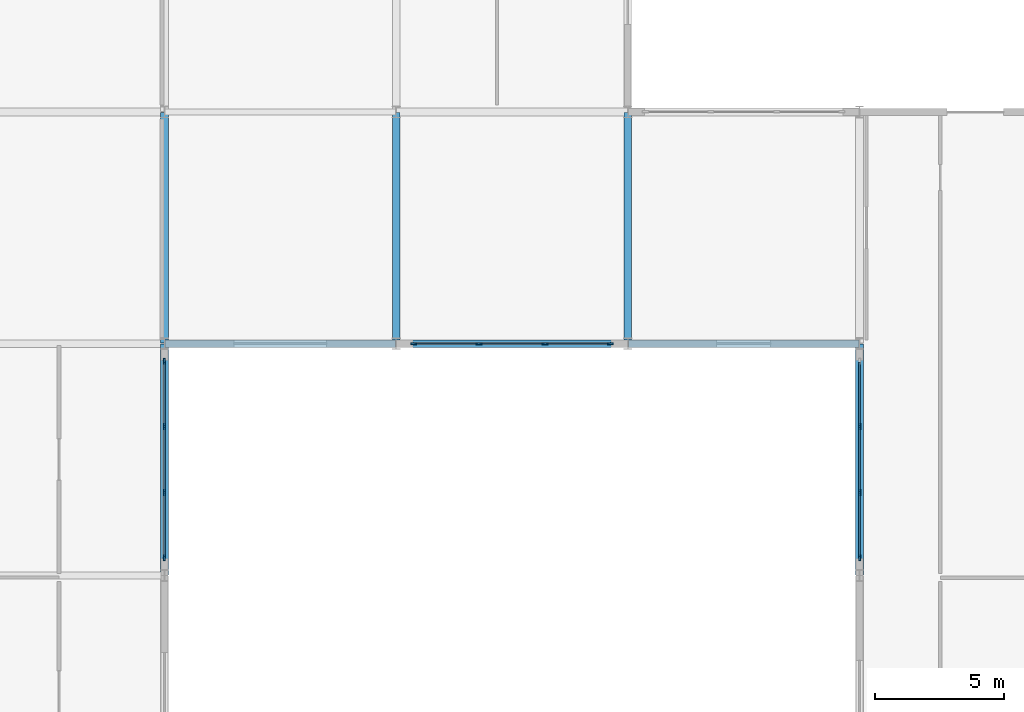
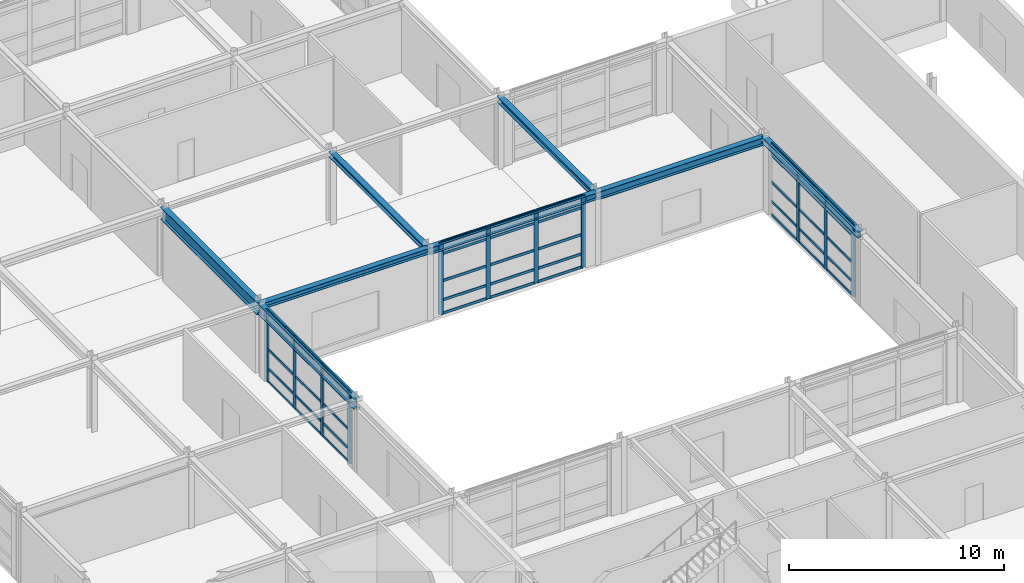
# One storey, part 40 of 72: 56 members, 8 beams, 3 elements without a shape of their own.
"""IFC4 building model written with IfcOpenShell, lengths in metres."""

from ifc_helpers import new_model, si_unit, direction, frame, origin, origin_2d, place, context, subcontext, project, spatial, rectangle, i_section, extrude, material, material_profile, profile_set, type_object, element, aggregate, save


model = new_model("IFC4")

# Units and contexts
model_context = context("Model", 3, precision=1e-05, world=origin(), true_north=direction((0.0, 1.0)))
body_context = subcontext(model_context, "Body", "Model", "MODEL_VIEW")
ifc_project = project(units=[si_unit("LENGTHUNIT", "METRE"), si_unit("AREAUNIT", "SQUARE_METRE"), si_unit("VOLUMEUNIT", "CUBIC_METRE"), si_unit("PLANEANGLEUNIT", "RADIAN"), si_unit("MASSUNIT", "GRAM", prefix="KILO")], contexts=[model_context])

# Site, building, storey
site_placement = place(None, origin())
site = spatial("IfcSite", under=ifc_project, at=site_placement, CompositionType="ELEMENT")
building_placement = place(site_placement, origin())
building = spatial("IfcBuilding", under=site, at=building_placement, Name="Palais des Congres Ocreval", CompositionType="ELEMENT")
storey_placement = place(building_placement, origin())
storey = spatial("IfcBuildingStorey", under=building, at=storey_placement, Name="L00", CompositionType="ELEMENT", Elevation=0.0)

# Curtain wall, members
ifc_material_1 = material(Name="Anodized bronze aluminium and low-E glass", Category="glass")
curtain_wall_type = type_object("IfcCurtainWallType", Name="Unitised Curtain Wall 7900x4060", PredefinedType="USERDEFINED", material=ifc_material_1)
curtain_wall_1_placement = place(storey_placement, origin())
curtain_wall_1 = element("IfcCurtainWall", 1, at=curtain_wall_1_placement, inside=storey, type_object=curtain_wall_type, Name="Unitised Curtain Wall CW01 L00", ObjectType="UNITISED CURTAIN WALL", PredefinedType="USERDEFINED")
ifc_material_2 = material(Name="Anodized bronze aluminium", Category="aluminium")
ifc_material_profile_1 = material_profile(ifc_material_2, rectangle(XDim=0.074951171875, YDim=0.239990234375, at=origin_2d()), Name="ALU 75x240")
ifc_profile_set_1 = profile_set([ifc_material_profile_1], Name="Anodized bronze aluminium")
member_type_1 = type_object("IfcMemberType", Name="Curtain Wall Mullion ALU 75x240", PredefinedType="MULLION", material=ifc_profile_set_1)
member_1_placement = place(storey_placement, frame((153.0, 27.6875, 0.0), z_axis=(0.0, 0.0, 1.0), x_axis=(-1.0, 0.0, 0.0)))
member_1 = element("IfcMember", 2, at=member_1_placement, type_object=member_type_1, Name="Curtain Wall Mullion ML01", PredefinedType="MULLION", context=body_context, shape_type="SweptSolid", body=[
    extrude(rectangle(XDim=0.074951171875, YDim=0.239990234375, at=origin_2d()), origin(), (0.0, 0.0, 1.0), 4.054931640625),
])
member_2_placement = place(storey_placement, frame((153.0, 30.216796875, 0.0), z_axis=(0.0, 0.0, 1.0), x_axis=(-1.0, 0.0, 0.0)))
member_2 = element("IfcMember", 3, at=member_2_placement, type_object=member_type_1, Name="Curtain Wall Mullion ML01", PredefinedType="MULLION", context=body_context, shape_type="SweptSolid", body=[
    extrude(rectangle(XDim=0.074951171875, YDim=0.239990234375, at=origin_2d()), origin(), (0.0, 0.0, 1.0), 4.054931640625),
])
member_3_placement = place(storey_placement, frame((153.0, 32.783203125, 0.0), z_axis=(0.0, 0.0, 1.0), x_axis=(-1.0, 0.0, 0.0)))
member_3 = element("IfcMember", 4, at=member_3_placement, type_object=member_type_1, Name="Curtain Wall Mullion ML01", PredefinedType="MULLION", context=body_context, shape_type="SweptSolid", body=[
    extrude(rectangle(XDim=0.074951171875, YDim=0.239990234375, at=origin_2d()), origin(), (0.0, 0.0, 1.0), 4.054931640625),
])

curtain_wall_2_placement = place(storey_placement, origin())
curtain_wall_2 = element("IfcCurtainWall", 5, at=curtain_wall_2_placement, inside=storey, type_object=curtain_wall_type, Name="Unitised Curtain Wall CW01 L00", ObjectType="UNITISED CURTAIN WALL", PredefinedType="USERDEFINED")
member_4_placement = place(storey_placement, frame((143.3125, 36.0, 0.0), z_axis=(0.0, 0.0, 1.0), x_axis=(0.0, -1.0, 0.0)))
member_4 = element("IfcMember", 6, at=member_4_placement, type_object=member_type_1, Name="Curtain Wall Mullion ML01", PredefinedType="MULLION", context=body_context, shape_type="SweptSolid", body=[
    extrude(rectangle(XDim=0.074951171875, YDim=0.239990234375, at=origin_2d()), origin(), (0.0, 0.0, 1.0), 4.054931640625),
])
member_5_placement = place(storey_placement, frame((140.783203125, 36.0, 0.0), z_axis=(0.0, 0.0, 1.0), x_axis=(0.0, -1.0, 0.0)))
member_5 = element("IfcMember", 7, at=member_5_placement, type_object=member_type_1, Name="Curtain Wall Mullion ML01", PredefinedType="MULLION", context=body_context, shape_type="SweptSolid", body=[
    extrude(rectangle(XDim=0.074951171875, YDim=0.239990234375, at=origin_2d()), origin(), (0.0, 0.0, 1.0), 4.054931640625),
])
member_6_placement = place(storey_placement, frame((138.216796875, 36.0, 0.0), z_axis=(0.0, 0.0, 1.0), x_axis=(0.0, -1.0, 0.0)))
member_6 = element("IfcMember", 8, at=member_6_placement, type_object=member_type_1, Name="Curtain Wall Mullion ML01", PredefinedType="MULLION", context=body_context, shape_type="SweptSolid", body=[
    extrude(rectangle(XDim=0.074951171875, YDim=0.239990234375, at=origin_2d()), origin(), (0.0, 0.0, 1.0), 4.054931640625),
])
member_7_placement = place(storey_placement, frame((135.6875, 36.0, 0.0), z_axis=(0.0, 0.0, 1.0), x_axis=(0.0, -1.0, 0.0)))
member_7 = element("IfcMember", 9, at=member_7_placement, type_object=member_type_1, Name="Curtain Wall Mullion ML01", PredefinedType="MULLION", context=body_context, shape_type="SweptSolid", body=[
    extrude(rectangle(XDim=0.074951171875, YDim=0.239990234375, at=origin_2d()), origin(), (0.0, 0.0, 1.0), 4.054931640625),
])

curtain_wall_3_placement = place(storey_placement, origin())
curtain_wall_3 = element("IfcCurtainWall", 10, at=curtain_wall_3_placement, inside=storey, type_object=curtain_wall_type, Name="Unitised Curtain Wall CW01 L00", ObjectType="UNITISED CURTAIN WALL", PredefinedType="USERDEFINED")
member_8_placement = place(storey_placement, frame((126.0, 35.3125, 0.0), z_axis=(0.0, 0.0, 1.0), x_axis=(1.0, 0.0, 0.0)))
member_8 = element("IfcMember", 11, at=member_8_placement, type_object=member_type_1, Name="Curtain Wall Mullion ML01", PredefinedType="MULLION", context=body_context, shape_type="SweptSolid", body=[
    extrude(rectangle(XDim=0.074951171875, YDim=0.239990234375, at=origin_2d()), origin(), (0.0, 0.0, 1.0), 4.054931640625),
])
member_9_placement = place(storey_placement, frame((126.0, 32.783203125, 0.0), z_axis=(0.0, 0.0, 1.0), x_axis=(1.0, 0.0, 0.0)))
member_9 = element("IfcMember", 12, at=member_9_placement, type_object=member_type_1, Name="Curtain Wall Mullion ML01", PredefinedType="MULLION", context=body_context, shape_type="SweptSolid", body=[
    extrude(rectangle(XDim=0.074951171875, YDim=0.239990234375, at=origin_2d()), origin(), (0.0, 0.0, 1.0), 4.054931640625),
])
member_10_placement = place(storey_placement, frame((126.0, 30.216796875, 0.0), z_axis=(0.0, 0.0, 1.0), x_axis=(1.0, 0.0, 0.0)))
member_10 = element("IfcMember", 13, at=member_10_placement, type_object=member_type_1, Name="Curtain Wall Mullion ML01", PredefinedType="MULLION", context=body_context, shape_type="SweptSolid", body=[
    extrude(rectangle(XDim=0.074951171875, YDim=0.239990234375, at=origin_2d()), origin(), (0.0, 0.0, 1.0), 4.054931640625),
])
member_11_placement = place(storey_placement, frame((126.0, 27.6875, 0.0), z_axis=(0.0, 0.0, 1.0), x_axis=(1.0, 0.0, 0.0)))
member_11 = element("IfcMember", 14, at=member_11_placement, type_object=member_type_1, Name="Curtain Wall Mullion ML01", PredefinedType="MULLION", context=body_context, shape_type="SweptSolid", body=[
    extrude(rectangle(XDim=0.074951171875, YDim=0.239990234375, at=origin_2d()), origin(), (0.0, 0.0, 1.0), 4.054931640625),
])

# Member
ifc_material_profile_2 = material_profile(ifc_material_2, rectangle(XDim=0.06005859375, YDim=0.14990234375, at=origin_2d()), Name="ALU 60x150")
ifc_profile_set_2 = profile_set([ifc_material_profile_2], Name="Anodized bronze aluminium")
member_type_2 = type_object("IfcMemberType", Name="Curtain Wall Transom ALU 60x150", PredefinedType="USERDEFINED", material=ifc_profile_set_2)
member_12_placement = place(storey_placement, frame((153.0, 27.72509765625, 0.030029296875), z_axis=(0.0, 1.0, 0.0), x_axis=(-1.0, 0.0, 0.0)))
member_12 = element("IfcMember", 15, at=member_12_placement, type_object=member_type_2, Name="Curtain Wall Transom TR01", ObjectType="TRANSOM", PredefinedType="USERDEFINED", context=body_context, shape_type="SweptSolid", body=[
    extrude(rectangle(XDim=0.06005859375, YDim=0.14990234375, at=origin_2d()), origin(), (0.0, 0.0, 1.0), 2.4541015625),
])

member_13_placement = place(storey_placement, frame((153.0, 27.72509765625, 0.780029296875), z_axis=(0.0, 1.0, 0.0), x_axis=(-1.0, 0.0, 0.0)))
member_13 = element("IfcMember", 16, at=member_13_placement, type_object=member_type_2, Name="Curtain Wall Transom TR01", ObjectType="TRANSOM", PredefinedType="USERDEFINED", context=body_context, shape_type="SweptSolid", body=[
    extrude(rectangle(XDim=0.06005859375, YDim=0.14990234375, at=origin_2d()), origin(), (0.0, 0.0, 1.0), 2.4541015625),
])

member_14_placement = place(storey_placement, frame((153.0, 27.72509765625, 1.872802734375), z_axis=(0.0, 1.0, 0.0), x_axis=(-1.0, 0.0, 0.0)))
member_14 = element("IfcMember", 17, at=member_14_placement, type_object=member_type_2, Name="Curtain Wall Transom TR01", ObjectType="TRANSOM", PredefinedType="USERDEFINED", context=body_context, shape_type="SweptSolid", body=[
    extrude(rectangle(XDim=0.06005859375, YDim=0.14990234375, at=origin_2d()), origin(), (0.0, 0.0, 1.0), 2.4541015625),
])

member_15_placement = place(storey_placement, frame((153.0, 27.72509765625, 3.405029296875), z_axis=(0.0, 1.0, 0.0), x_axis=(-1.0, 0.0, 0.0)))
member_15 = element("IfcMember", 18, at=member_15_placement, type_object=member_type_2, Name="Curtain Wall Transom TR01", ObjectType="TRANSOM", PredefinedType="USERDEFINED", context=body_context, shape_type="SweptSolid", body=[
    extrude(rectangle(XDim=0.06005859375, YDim=0.14990234375, at=origin_2d()), origin(), (0.0, 0.0, 1.0), 2.4541015625),
])

member_16_placement = place(storey_placement, frame((153.0, 27.72509765625, 4.02490234375), z_axis=(0.0, 1.0, 0.0), x_axis=(-1.0, 0.0, 0.0)))
member_16 = element("IfcMember", 19, at=member_16_placement, type_object=member_type_2, Name="Curtain Wall Transom TR01", ObjectType="TRANSOM", PredefinedType="USERDEFINED", context=body_context, shape_type="SweptSolid", body=[
    extrude(rectangle(XDim=0.06005859375, YDim=0.14990234375, at=origin_2d()), origin(), (0.0, 0.0, 1.0), 2.4541015625),
])

member_17_placement = place(storey_placement, frame((153.0, 30.254150390625, 0.030029296875), z_axis=(0.0, 1.0, 0.0), x_axis=(-1.0, 0.0, 0.0)))
member_17 = element("IfcMember", 20, at=member_17_placement, type_object=member_type_2, Name="Curtain Wall Transom TR01", ObjectType="TRANSOM", PredefinedType="USERDEFINED", context=body_context, shape_type="SweptSolid", body=[
    extrude(rectangle(XDim=0.06005859375, YDim=0.14990234375, at=origin_2d()), origin(), (0.0, 0.0, 1.0), 2.49169921875),
])

member_18_placement = place(storey_placement, frame((153.0, 30.254150390625, 0.780029296875), z_axis=(0.0, 1.0, 0.0), x_axis=(-1.0, 0.0, 0.0)))
member_18 = element("IfcMember", 21, at=member_18_placement, type_object=member_type_2, Name="Curtain Wall Transom TR01", ObjectType="TRANSOM", PredefinedType="USERDEFINED", context=body_context, shape_type="SweptSolid", body=[
    extrude(rectangle(XDim=0.06005859375, YDim=0.14990234375, at=origin_2d()), origin(), (0.0, 0.0, 1.0), 2.49169921875),
])

member_19_placement = place(storey_placement, frame((153.0, 30.254150390625, 1.872802734375), z_axis=(0.0, 1.0, 0.0), x_axis=(-1.0, 0.0, 0.0)))
member_19 = element("IfcMember", 22, at=member_19_placement, type_object=member_type_2, Name="Curtain Wall Transom TR01", ObjectType="TRANSOM", PredefinedType="USERDEFINED", context=body_context, shape_type="SweptSolid", body=[
    extrude(rectangle(XDim=0.06005859375, YDim=0.14990234375, at=origin_2d()), origin(), (0.0, 0.0, 1.0), 2.49169921875),
])

member_20_placement = place(storey_placement, frame((153.0, 30.254150390625, 3.405029296875), z_axis=(0.0, 1.0, 0.0), x_axis=(-1.0, 0.0, 0.0)))
member_20 = element("IfcMember", 23, at=member_20_placement, type_object=member_type_2, Name="Curtain Wall Transom TR01", ObjectType="TRANSOM", PredefinedType="USERDEFINED", context=body_context, shape_type="SweptSolid", body=[
    extrude(rectangle(XDim=0.06005859375, YDim=0.14990234375, at=origin_2d()), origin(), (0.0, 0.0, 1.0), 2.49169921875),
])

member_21_placement = place(storey_placement, frame((153.0, 30.254150390625, 4.02490234375), z_axis=(0.0, 1.0, 0.0), x_axis=(-1.0, 0.0, 0.0)))
member_21 = element("IfcMember", 24, at=member_21_placement, type_object=member_type_2, Name="Curtain Wall Transom TR01", ObjectType="TRANSOM", PredefinedType="USERDEFINED", context=body_context, shape_type="SweptSolid", body=[
    extrude(rectangle(XDim=0.06005859375, YDim=0.14990234375, at=origin_2d()), origin(), (0.0, 0.0, 1.0), 2.49169921875),
])

member_22_placement = place(storey_placement, frame((153.0, 32.82080078125, 0.030029296875), z_axis=(0.0, 1.0, 0.0), x_axis=(-1.0, 0.0, 0.0)))
member_22 = element("IfcMember", 25, at=member_22_placement, type_object=member_type_2, Name="Curtain Wall Transom TR01", ObjectType="TRANSOM", PredefinedType="USERDEFINED", context=body_context, shape_type="SweptSolid", body=[
    extrude(rectangle(XDim=0.06005859375, YDim=0.14990234375, at=origin_2d()), origin(), (0.0, 0.0, 1.0), 2.4541015625),
])

member_23_placement = place(storey_placement, frame((153.0, 32.82080078125, 0.780029296875), z_axis=(0.0, 1.0, 0.0), x_axis=(-1.0, 0.0, 0.0)))
member_23 = element("IfcMember", 26, at=member_23_placement, type_object=member_type_2, Name="Curtain Wall Transom TR01", ObjectType="TRANSOM", PredefinedType="USERDEFINED", context=body_context, shape_type="SweptSolid", body=[
    extrude(rectangle(XDim=0.06005859375, YDim=0.14990234375, at=origin_2d()), origin(), (0.0, 0.0, 1.0), 2.4541015625),
])

member_24_placement = place(storey_placement, frame((153.0, 32.82080078125, 1.872802734375), z_axis=(0.0, 1.0, 0.0), x_axis=(-1.0, 0.0, 0.0)))
member_24 = element("IfcMember", 27, at=member_24_placement, type_object=member_type_2, Name="Curtain Wall Transom TR01", ObjectType="TRANSOM", PredefinedType="USERDEFINED", context=body_context, shape_type="SweptSolid", body=[
    extrude(rectangle(XDim=0.06005859375, YDim=0.14990234375, at=origin_2d()), origin(), (0.0, 0.0, 1.0), 2.4541015625),
])

member_25_placement = place(storey_placement, frame((153.0, 32.82080078125, 3.405029296875), z_axis=(0.0, 1.0, 0.0), x_axis=(-1.0, 0.0, 0.0)))
member_25 = element("IfcMember", 28, at=member_25_placement, type_object=member_type_2, Name="Curtain Wall Transom TR01", ObjectType="TRANSOM", PredefinedType="USERDEFINED", context=body_context, shape_type="SweptSolid", body=[
    extrude(rectangle(XDim=0.06005859375, YDim=0.14990234375, at=origin_2d()), origin(), (0.0, 0.0, 1.0), 2.4541015625),
])

member_26_placement = place(storey_placement, frame((153.0, 32.82080078125, 4.02490234375), z_axis=(0.0, 1.0, 0.0), x_axis=(-1.0, 0.0, 0.0)))
member_26 = element("IfcMember", 29, at=member_26_placement, type_object=member_type_2, Name="Curtain Wall Transom TR01", ObjectType="TRANSOM", PredefinedType="USERDEFINED", context=body_context, shape_type="SweptSolid", body=[
    extrude(rectangle(XDim=0.06005859375, YDim=0.14990234375, at=origin_2d()), origin(), (0.0, 0.0, 1.0), 2.4541015625),
])

aggregate(curtain_wall_1, [member_1, member_2, member_3, member_12, member_13, member_14, member_15, member_16, member_17, member_18, member_19, member_20, member_21, member_22, member_23, member_24, member_25, member_26])

member_27_placement = place(storey_placement, frame((143.27490234375, 36.0, 0.030029296875), z_axis=(-1.0, 0.0, 0.0), x_axis=(0.0, -1.0, 0.0)))
member_27 = element("IfcMember", 30, at=member_27_placement, type_object=member_type_2, Name="Curtain Wall Transom TR01", ObjectType="TRANSOM", PredefinedType="USERDEFINED", context=body_context, shape_type="SweptSolid", body=[
    extrude(rectangle(XDim=0.06005859375, YDim=0.14990234375, at=origin_2d()), origin(), (0.0, 0.0, 1.0), 2.4541015625),
])

member_28_placement = place(storey_placement, frame((143.27490234375, 36.0, 0.780029296875), z_axis=(-1.0, 0.0, 0.0), x_axis=(0.0, -1.0, 0.0)))
member_28 = element("IfcMember", 31, at=member_28_placement, type_object=member_type_2, Name="Curtain Wall Transom TR01", ObjectType="TRANSOM", PredefinedType="USERDEFINED", context=body_context, shape_type="SweptSolid", body=[
    extrude(rectangle(XDim=0.06005859375, YDim=0.14990234375, at=origin_2d()), origin(), (0.0, 0.0, 1.0), 2.4541015625),
])

member_29_placement = place(storey_placement, frame((143.27490234375, 36.0, 1.872802734375), z_axis=(-1.0, 0.0, 0.0), x_axis=(0.0, -1.0, 0.0)))
member_29 = element("IfcMember", 32, at=member_29_placement, type_object=member_type_2, Name="Curtain Wall Transom TR01", ObjectType="TRANSOM", PredefinedType="USERDEFINED", context=body_context, shape_type="SweptSolid", body=[
    extrude(rectangle(XDim=0.06005859375, YDim=0.14990234375, at=origin_2d()), origin(), (0.0, 0.0, 1.0), 2.4541015625),
])

member_30_placement = place(storey_placement, frame((143.27490234375, 36.0, 3.405029296875), z_axis=(-1.0, 0.0, 0.0), x_axis=(0.0, -1.0, 0.0)))
member_30 = element("IfcMember", 33, at=member_30_placement, type_object=member_type_2, Name="Curtain Wall Transom TR01", ObjectType="TRANSOM", PredefinedType="USERDEFINED", context=body_context, shape_type="SweptSolid", body=[
    extrude(rectangle(XDim=0.06005859375, YDim=0.14990234375, at=origin_2d()), origin(), (0.0, 0.0, 1.0), 2.4541015625),
])

member_31_placement = place(storey_placement, frame((143.27490234375, 36.0, 4.02490234375), z_axis=(-1.0, 0.0, 0.0), x_axis=(0.0, -1.0, 0.0)))
member_31 = element("IfcMember", 34, at=member_31_placement, type_object=member_type_2, Name="Curtain Wall Transom TR01", ObjectType="TRANSOM", PredefinedType="USERDEFINED", context=body_context, shape_type="SweptSolid", body=[
    extrude(rectangle(XDim=0.06005859375, YDim=0.14990234375, at=origin_2d()), origin(), (0.0, 0.0, 1.0), 2.4541015625),
])

member_32_placement = place(storey_placement, frame((140.745849609375, 36.0, 0.030029296875), z_axis=(-1.0, 0.0, 0.0), x_axis=(0.0, -1.0, 0.0)))
member_32 = element("IfcMember", 35, at=member_32_placement, type_object=member_type_2, Name="Curtain Wall Transom TR01", ObjectType="TRANSOM", PredefinedType="USERDEFINED", context=body_context, shape_type="SweptSolid", body=[
    extrude(rectangle(XDim=0.06005859375, YDim=0.14990234375, at=origin_2d()), origin(), (0.0, 0.0, 1.0), 2.49169921875),
])

member_33_placement = place(storey_placement, frame((140.745849609375, 36.0, 0.780029296875), z_axis=(-1.0, 0.0, 0.0), x_axis=(0.0, -1.0, 0.0)))
member_33 = element("IfcMember", 36, at=member_33_placement, type_object=member_type_2, Name="Curtain Wall Transom TR01", ObjectType="TRANSOM", PredefinedType="USERDEFINED", context=body_context, shape_type="SweptSolid", body=[
    extrude(rectangle(XDim=0.06005859375, YDim=0.14990234375, at=origin_2d()), origin(), (0.0, 0.0, 1.0), 2.49169921875),
])

member_34_placement = place(storey_placement, frame((140.745849609375, 36.0, 1.872802734375), z_axis=(-1.0, 0.0, 0.0), x_axis=(0.0, -1.0, 0.0)))
member_34 = element("IfcMember", 37, at=member_34_placement, type_object=member_type_2, Name="Curtain Wall Transom TR01", ObjectType="TRANSOM", PredefinedType="USERDEFINED", context=body_context, shape_type="SweptSolid", body=[
    extrude(rectangle(XDim=0.06005859375, YDim=0.14990234375, at=origin_2d()), origin(), (0.0, 0.0, 1.0), 2.49169921875),
])

member_35_placement = place(storey_placement, frame((140.745849609375, 36.0, 3.405029296875), z_axis=(-1.0, 0.0, 0.0), x_axis=(0.0, -1.0, 0.0)))
member_35 = element("IfcMember", 38, at=member_35_placement, type_object=member_type_2, Name="Curtain Wall Transom TR01", ObjectType="TRANSOM", PredefinedType="USERDEFINED", context=body_context, shape_type="SweptSolid", body=[
    extrude(rectangle(XDim=0.06005859375, YDim=0.14990234375, at=origin_2d()), origin(), (0.0, 0.0, 1.0), 2.49169921875),
])

member_36_placement = place(storey_placement, frame((140.745849609375, 36.0, 4.02490234375), z_axis=(-1.0, 0.0, 0.0), x_axis=(0.0, -1.0, 0.0)))
member_36 = element("IfcMember", 39, at=member_36_placement, type_object=member_type_2, Name="Curtain Wall Transom TR01", ObjectType="TRANSOM", PredefinedType="USERDEFINED", context=body_context, shape_type="SweptSolid", body=[
    extrude(rectangle(XDim=0.06005859375, YDim=0.14990234375, at=origin_2d()), origin(), (0.0, 0.0, 1.0), 2.49169921875),
])

member_37_placement = place(storey_placement, frame((138.17919921875, 36.0, 0.030029296875), z_axis=(-1.0, 0.0, 0.0), x_axis=(0.0, -1.0, 0.0)))
member_37 = element("IfcMember", 40, at=member_37_placement, type_object=member_type_2, Name="Curtain Wall Transom TR01", ObjectType="TRANSOM", PredefinedType="USERDEFINED", context=body_context, shape_type="SweptSolid", body=[
    extrude(rectangle(XDim=0.06005859375, YDim=0.14990234375, at=origin_2d()), origin(), (0.0, 0.0, 1.0), 2.4541015625),
])

member_38_placement = place(storey_placement, frame((138.17919921875, 36.0, 0.780029296875), z_axis=(-1.0, 0.0, 0.0), x_axis=(0.0, -1.0, 0.0)))
member_38 = element("IfcMember", 41, at=member_38_placement, type_object=member_type_2, Name="Curtain Wall Transom TR01", ObjectType="TRANSOM", PredefinedType="USERDEFINED", context=body_context, shape_type="SweptSolid", body=[
    extrude(rectangle(XDim=0.06005859375, YDim=0.14990234375, at=origin_2d()), origin(), (0.0, 0.0, 1.0), 2.4541015625),
])

member_39_placement = place(storey_placement, frame((138.17919921875, 36.0, 1.872802734375), z_axis=(-1.0, 0.0, 0.0), x_axis=(0.0, -1.0, 0.0)))
member_39 = element("IfcMember", 42, at=member_39_placement, type_object=member_type_2, Name="Curtain Wall Transom TR01", ObjectType="TRANSOM", PredefinedType="USERDEFINED", context=body_context, shape_type="SweptSolid", body=[
    extrude(rectangle(XDim=0.06005859375, YDim=0.14990234375, at=origin_2d()), origin(), (0.0, 0.0, 1.0), 2.4541015625),
])

member_40_placement = place(storey_placement, frame((138.17919921875, 36.0, 3.405029296875), z_axis=(-1.0, 0.0, 0.0), x_axis=(0.0, -1.0, 0.0)))
member_40 = element("IfcMember", 43, at=member_40_placement, type_object=member_type_2, Name="Curtain Wall Transom TR01", ObjectType="TRANSOM", PredefinedType="USERDEFINED", context=body_context, shape_type="SweptSolid", body=[
    extrude(rectangle(XDim=0.06005859375, YDim=0.14990234375, at=origin_2d()), origin(), (0.0, 0.0, 1.0), 2.4541015625),
])

member_41_placement = place(storey_placement, frame((138.17919921875, 36.0, 4.02490234375), z_axis=(-1.0, 0.0, 0.0), x_axis=(0.0, -1.0, 0.0)))
member_41 = element("IfcMember", 44, at=member_41_placement, type_object=member_type_2, Name="Curtain Wall Transom TR01", ObjectType="TRANSOM", PredefinedType="USERDEFINED", context=body_context, shape_type="SweptSolid", body=[
    extrude(rectangle(XDim=0.06005859375, YDim=0.14990234375, at=origin_2d()), origin(), (0.0, 0.0, 1.0), 2.4541015625),
])

aggregate(curtain_wall_2, [member_4, member_5, member_6, member_7, member_27, member_28, member_29, member_30, member_31, member_32, member_33, member_34, member_35, member_36, member_37, member_38, member_39, member_40, member_41])

member_42_placement = place(storey_placement, frame((126.0, 35.27490234375, 0.030029296875), z_axis=(0.0, -1.0, 0.0), x_axis=(1.0, 0.0, 0.0)))
member_42 = element("IfcMember", 45, at=member_42_placement, type_object=member_type_2, Name="Curtain Wall Transom TR01", ObjectType="TRANSOM", PredefinedType="USERDEFINED", context=body_context, shape_type="SweptSolid", body=[
    extrude(rectangle(XDim=0.06005859375, YDim=0.14990234375, at=origin_2d()), origin(), (0.0, 0.0, 1.0), 2.4541015625),
])

member_43_placement = place(storey_placement, frame((126.0, 35.27490234375, 0.780029296875), z_axis=(0.0, -1.0, 0.0), x_axis=(1.0, 0.0, 0.0)))
member_43 = element("IfcMember", 46, at=member_43_placement, type_object=member_type_2, Name="Curtain Wall Transom TR01", ObjectType="TRANSOM", PredefinedType="USERDEFINED", context=body_context, shape_type="SweptSolid", body=[
    extrude(rectangle(XDim=0.06005859375, YDim=0.14990234375, at=origin_2d()), origin(), (0.0, 0.0, 1.0), 2.4541015625),
])

member_44_placement = place(storey_placement, frame((126.0, 35.27490234375, 1.872802734375), z_axis=(0.0, -1.0, 0.0), x_axis=(1.0, 0.0, 0.0)))
member_44 = element("IfcMember", 47, at=member_44_placement, type_object=member_type_2, Name="Curtain Wall Transom TR01", ObjectType="TRANSOM", PredefinedType="USERDEFINED", context=body_context, shape_type="SweptSolid", body=[
    extrude(rectangle(XDim=0.06005859375, YDim=0.14990234375, at=origin_2d()), origin(), (0.0, 0.0, 1.0), 2.4541015625),
])

member_45_placement = place(storey_placement, frame((126.0, 35.27490234375, 3.405029296875), z_axis=(0.0, -1.0, 0.0), x_axis=(1.0, 0.0, 0.0)))
member_45 = element("IfcMember", 48, at=member_45_placement, type_object=member_type_2, Name="Curtain Wall Transom TR01", ObjectType="TRANSOM", PredefinedType="USERDEFINED", context=body_context, shape_type="SweptSolid", body=[
    extrude(rectangle(XDim=0.06005859375, YDim=0.14990234375, at=origin_2d()), origin(), (0.0, 0.0, 1.0), 2.4541015625),
])

member_46_placement = place(storey_placement, frame((126.0, 35.27490234375, 4.02490234375), z_axis=(0.0, -1.0, 0.0), x_axis=(1.0, 0.0, 0.0)))
member_46 = element("IfcMember", 49, at=member_46_placement, type_object=member_type_2, Name="Curtain Wall Transom TR01", ObjectType="TRANSOM", PredefinedType="USERDEFINED", context=body_context, shape_type="SweptSolid", body=[
    extrude(rectangle(XDim=0.06005859375, YDim=0.14990234375, at=origin_2d()), origin(), (0.0, 0.0, 1.0), 2.4541015625),
])

member_47_placement = place(storey_placement, frame((126.0, 32.745849609375, 0.030029296875), z_axis=(0.0, -1.0, 0.0), x_axis=(1.0, 0.0, 0.0)))
member_47 = element("IfcMember", 50, at=member_47_placement, type_object=member_type_2, Name="Curtain Wall Transom TR01", ObjectType="TRANSOM", PredefinedType="USERDEFINED", context=body_context, shape_type="SweptSolid", body=[
    extrude(rectangle(XDim=0.06005859375, YDim=0.14990234375, at=origin_2d()), origin(), (0.0, 0.0, 1.0), 2.49169921875),
])

member_48_placement = place(storey_placement, frame((126.0, 32.745849609375, 0.780029296875), z_axis=(0.0, -1.0, 0.0), x_axis=(1.0, 0.0, 0.0)))
member_48 = element("IfcMember", 51, at=member_48_placement, type_object=member_type_2, Name="Curtain Wall Transom TR01", ObjectType="TRANSOM", PredefinedType="USERDEFINED", context=body_context, shape_type="SweptSolid", body=[
    extrude(rectangle(XDim=0.06005859375, YDim=0.14990234375, at=origin_2d()), origin(), (0.0, 0.0, 1.0), 2.49169921875),
])

member_49_placement = place(storey_placement, frame((126.0, 32.745849609375, 1.872802734375), z_axis=(0.0, -1.0, 0.0), x_axis=(1.0, 0.0, 0.0)))
member_49 = element("IfcMember", 52, at=member_49_placement, type_object=member_type_2, Name="Curtain Wall Transom TR01", ObjectType="TRANSOM", PredefinedType="USERDEFINED", context=body_context, shape_type="SweptSolid", body=[
    extrude(rectangle(XDim=0.06005859375, YDim=0.14990234375, at=origin_2d()), origin(), (0.0, 0.0, 1.0), 2.49169921875),
])

member_50_placement = place(storey_placement, frame((126.0, 32.745849609375, 3.405029296875), z_axis=(0.0, -1.0, 0.0), x_axis=(1.0, 0.0, 0.0)))
member_50 = element("IfcMember", 53, at=member_50_placement, type_object=member_type_2, Name="Curtain Wall Transom TR01", ObjectType="TRANSOM", PredefinedType="USERDEFINED", context=body_context, shape_type="SweptSolid", body=[
    extrude(rectangle(XDim=0.06005859375, YDim=0.14990234375, at=origin_2d()), origin(), (0.0, 0.0, 1.0), 2.49169921875),
])

member_51_placement = place(storey_placement, frame((126.0, 32.745849609375, 4.02490234375), z_axis=(0.0, -1.0, 0.0), x_axis=(1.0, 0.0, 0.0)))
member_51 = element("IfcMember", 54, at=member_51_placement, type_object=member_type_2, Name="Curtain Wall Transom TR01", ObjectType="TRANSOM", PredefinedType="USERDEFINED", context=body_context, shape_type="SweptSolid", body=[
    extrude(rectangle(XDim=0.06005859375, YDim=0.14990234375, at=origin_2d()), origin(), (0.0, 0.0, 1.0), 2.49169921875),
])

member_52_placement = place(storey_placement, frame((126.0, 30.17919921875, 0.030029296875), z_axis=(0.0, -1.0, 0.0), x_axis=(1.0, 0.0, 0.0)))
member_52 = element("IfcMember", 55, at=member_52_placement, type_object=member_type_2, Name="Curtain Wall Transom TR01", ObjectType="TRANSOM", PredefinedType="USERDEFINED", context=body_context, shape_type="SweptSolid", body=[
    extrude(rectangle(XDim=0.06005859375, YDim=0.14990234375, at=origin_2d()), origin(), (0.0, 0.0, 1.0), 2.4541015625),
])

member_53_placement = place(storey_placement, frame((126.0, 30.17919921875, 0.780029296875), z_axis=(0.0, -1.0, 0.0), x_axis=(1.0, 0.0, 0.0)))
member_53 = element("IfcMember", 56, at=member_53_placement, type_object=member_type_2, Name="Curtain Wall Transom TR01", ObjectType="TRANSOM", PredefinedType="USERDEFINED", context=body_context, shape_type="SweptSolid", body=[
    extrude(rectangle(XDim=0.06005859375, YDim=0.14990234375, at=origin_2d()), origin(), (0.0, 0.0, 1.0), 2.4541015625),
])

member_54_placement = place(storey_placement, frame((126.0, 30.17919921875, 1.872802734375), z_axis=(0.0, -1.0, 0.0), x_axis=(1.0, 0.0, 0.0)))
member_54 = element("IfcMember", 57, at=member_54_placement, type_object=member_type_2, Name="Curtain Wall Transom TR01", ObjectType="TRANSOM", PredefinedType="USERDEFINED", context=body_context, shape_type="SweptSolid", body=[
    extrude(rectangle(XDim=0.06005859375, YDim=0.14990234375, at=origin_2d()), origin(), (0.0, 0.0, 1.0), 2.4541015625),
])

member_55_placement = place(storey_placement, frame((126.0, 30.17919921875, 3.405029296875), z_axis=(0.0, -1.0, 0.0), x_axis=(1.0, 0.0, 0.0)))
member_55 = element("IfcMember", 58, at=member_55_placement, type_object=member_type_2, Name="Curtain Wall Transom TR01", ObjectType="TRANSOM", PredefinedType="USERDEFINED", context=body_context, shape_type="SweptSolid", body=[
    extrude(rectangle(XDim=0.06005859375, YDim=0.14990234375, at=origin_2d()), origin(), (0.0, 0.0, 1.0), 2.4541015625),
])

member_56_placement = place(storey_placement, frame((126.0, 30.17919921875, 4.02490234375), z_axis=(0.0, -1.0, 0.0), x_axis=(1.0, 0.0, 0.0)))
member_56 = element("IfcMember", 59, at=member_56_placement, type_object=member_type_2, Name="Curtain Wall Transom TR01", ObjectType="TRANSOM", PredefinedType="USERDEFINED", context=body_context, shape_type="SweptSolid", body=[
    extrude(rectangle(XDim=0.06005859375, YDim=0.14990234375, at=origin_2d()), origin(), (0.0, 0.0, 1.0), 2.4541015625),
])

aggregate(curtain_wall_3, [member_8, member_9, member_10, member_11, member_42, member_43, member_44, member_45, member_46, member_47, member_48, member_49, member_50, member_51, member_52, member_53, member_54, member_55, member_56])

# Beams
ifc_material_3 = material(Name="Steel S355", Category="steel")
ifc_material_profile_3 = material_profile(ifc_material_3, i_section(OverallWidth=0.300048828125, OverallDepth=0.2900390625, WebThickness=0.008544921875, FlangeThickness=0.013916015625, at=origin_2d()), Name="HEA 300")
ifc_profile_set_3 = profile_set([ifc_material_profile_3], Name="Steel S355")
beam_type_1 = type_object("IfcBeamType", Name="Primary Beam HEA 300 Steel S355", PredefinedType="BEAM", material=ifc_profile_set_3)
beam_1_placement = place(storey_placement, frame((135.0, 36.02001953125, 3.909912109375), z_axis=(0.0, 1.0, 0.0), x_axis=(-1.0, 0.0, 0.0)))
element("IfcBeam", 60, at=beam_1_placement, inside=storey, type_object=beam_type_1, Name="Girder B08 L00", PredefinedType="BEAM", context=body_context, shape_type="SweptSolid", body=[
    extrude(i_section(OverallWidth=0.300048828125, OverallDepth=0.2900390625, WebThickness=0.008544921875, FlangeThickness=0.013916015625, at=origin_2d()), origin(), (0.0, 0.0, 1.0), 8.9599609375),
])
ifc_material_profile_4 = material_profile(ifc_material_3, i_section(OverallWidth=0.300048828125, OverallDepth=0.330078125, WebThickness=0.009521484375, FlangeThickness=0.0166015625, at=origin_2d()), Name="HEA 340")
ifc_profile_set_4 = profile_set([ifc_material_profile_4], Name="Steel S355")
beam_type_2 = type_object("IfcBeamType", Name="Primary Beam HEA 340 Steel S355", PredefinedType="BEAM", material=ifc_profile_set_4)
for number, where, z_axis, x_axis, name in (
    (61, (126.02001953125, 36.0, 3.889892578125), (1.0, 0.0, 0.0), (0.0, 1.0, 0.0), "Beam B09 L00"),
    (62, (144.0, 36.02001953125, 3.889892578125), (0.0, 1.0, 0.0), (-1.0, 0.0, 0.0), "Girder B09 L00"),
    (63, (153.0, 27.02001953125, 3.889892578125), (0.0, 1.0, 0.0), (-1.0, 0.0, 0.0), "Girder B09 L00"),
):
    element("IfcBeam", number, at=place(storey_placement, frame(where, z_axis=z_axis, x_axis=x_axis)), inside=storey, type_object=beam_type_2, Name=name, PredefinedType="BEAM", context=body_context, shape_type="SweptSolid", body=[
        extrude(i_section(OverallWidth=0.300048828125, OverallDepth=0.330078125, WebThickness=0.009521484375, FlangeThickness=0.0166015625, at=origin_2d()), origin(), (0.0, 0.0, 1.0), 8.9599609375),
    ])
ifc_material_profile_5 = material_profile(ifc_material_3, i_section(OverallWidth=0.300048828125, OverallDepth=0.389892578125, WebThickness=0.010986328125, FlangeThickness=0.01904296875, at=origin_2d()), Name="HEA 400")
ifc_profile_set_5 = profile_set([ifc_material_profile_5], Name="Steel S355")
beam_type_3 = type_object("IfcBeamType", Name="Primary Beam HEA 400 Steel S355", PredefinedType="BEAM", material=ifc_profile_set_5)
beam_2_placement = place(storey_placement, frame((135.02001953125, 36.0, 3.860107421875), z_axis=(1.0, 0.0, 0.0), x_axis=(0.0, 1.0, 0.0)))
element("IfcBeam", 64, at=beam_2_placement, inside=storey, type_object=beam_type_3, Name="Beam B10 L00", PredefinedType="BEAM", context=body_context, shape_type="SweptSolid", body=[
    extrude(i_section(OverallWidth=0.300048828125, OverallDepth=0.389892578125, WebThickness=0.010986328125, FlangeThickness=0.01904296875, at=origin_2d()), origin(), (0.0, 0.0, 1.0), 8.9599609375),
])
ifc_material_profile_6 = material_profile(ifc_material_3, i_section(OverallWidth=0.300048828125, OverallDepth=0.43994140625, WebThickness=0.011474609375, FlangeThickness=0.02099609375, at=origin_2d()), Name="HEA 450")
ifc_profile_set_6 = profile_set([ifc_material_profile_6], Name="Steel S355")
beam_type_4 = type_object("IfcBeamType", Name="Primary Beam HEA 450 Steel S355", PredefinedType="BEAM", material=ifc_profile_set_6)
beam_3_placement = place(storey_placement, frame((144.02001953125, 36.0, 3.8349609375), z_axis=(1.0, 0.0, 0.0), x_axis=(0.0, 1.0, 0.0)))
element("IfcBeam", 65, at=beam_3_placement, inside=storey, type_object=beam_type_4, Name="Beam B11 L00", PredefinedType="BEAM", context=body_context, shape_type="SweptSolid", body=[
    extrude(i_section(OverallWidth=0.300048828125, OverallDepth=0.43994140625, WebThickness=0.011474609375, FlangeThickness=0.02099609375, at=origin_2d()), origin(), (0.0, 0.0, 1.0), 8.9599609375),
])
ifc_material_profile_7 = material_profile(ifc_material_3, i_section(OverallWidth=0.300048828125, OverallDepth=0.590087890625, WebThickness=0.012939453125, FlangeThickness=0.02490234375, at=origin_2d()), Name="HEA 600")
ifc_profile_set_7 = profile_set([ifc_material_profile_7], Name="Steel S355")
beam_type_5 = type_object("IfcBeamType", Name="Primary Girder HEA 600 Steel S355", PredefinedType="BEAM", material=ifc_profile_set_7)
beam_4_placement = place(storey_placement, frame((126.0, 27.02001953125, 3.760009765625), z_axis=(0.0, 1.0, 0.0), x_axis=(-1.0, 0.0, 0.0)))
element("IfcBeam", 66, at=beam_4_placement, inside=storey, type_object=beam_type_5, Name="Girder B13 L00", PredefinedType="BEAM", context=body_context, shape_type="SweptSolid", body=[
    extrude(i_section(OverallWidth=0.300048828125, OverallDepth=0.590087890625, WebThickness=0.012939453125, FlangeThickness=0.02490234375, at=origin_2d()), origin(), (0.0, 0.0, 1.0), 8.9599609375),
])
ifc_material_profile_8 = material_profile(ifc_material_3, i_section(OverallWidth=0.300048828125, OverallDepth=0.68994140625, WebThickness=0.014404296875, FlangeThickness=0.027099609375, at=origin_2d()), Name="HEA 700")
ifc_profile_set_8 = profile_set([ifc_material_profile_8], Name="Steel S355")
beam_type_6 = type_object("IfcBeamType", Name="Primary Girder HEA 700 Steel S355", PredefinedType="BEAM", material=ifc_profile_set_8)
beam_5_placement = place(storey_placement, frame((126.0, 36.02001953125, 3.7099609375), z_axis=(0.0, 1.0, 0.0), x_axis=(-1.0, 0.0, 0.0)))
element("IfcBeam", 67, at=beam_5_placement, inside=storey, type_object=beam_type_6, Name="Girder B14 L00", PredefinedType="BEAM", context=body_context, shape_type="SweptSolid", body=[
    extrude(i_section(OverallWidth=0.300048828125, OverallDepth=0.68994140625, WebThickness=0.014404296875, FlangeThickness=0.027099609375, at=origin_2d()), origin(), (0.0, 0.0, 1.0), 8.9599609375),
])

save(model, "model.ifc")
